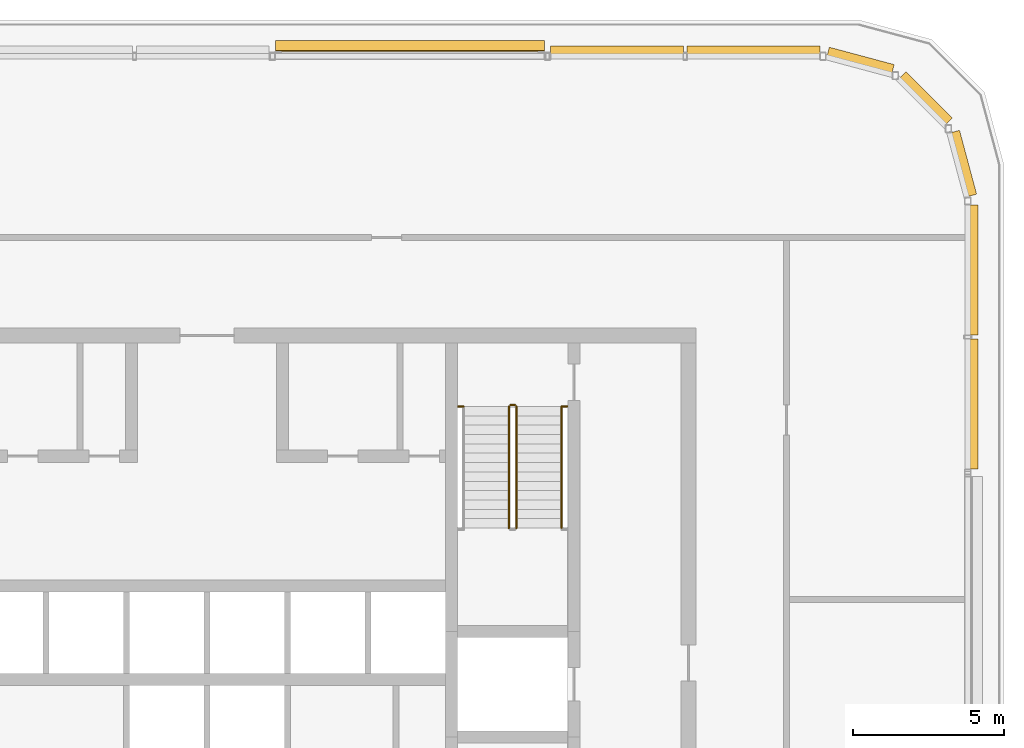
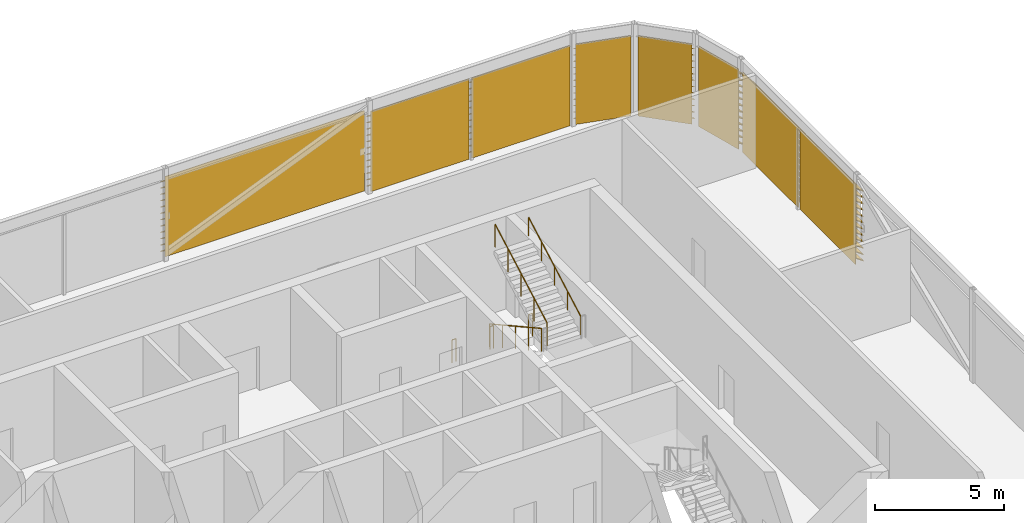
# One storey, part 29 of 29: 8 shading devices, 6 railings.
"""IFC4 building model written with IfcOpenShell, lengths in metres."""

from ifc_helpers import new_model, si_unit, direction, frame, origin, origin_2d, place, context, subcontext, project, spatial, polyline, circle, outline, extrude, material, type_object, element, save


model = new_model("IFC4")

# Units and contexts
model_context = context("Model", 3, precision=1e-05, world=origin(), true_north=direction((0.0, 1.0)))
body_context = subcontext(model_context, "Body", "Model", "MODEL_VIEW")
ifc_project = project(units=[si_unit("LENGTHUNIT", "METRE"), si_unit("AREAUNIT", "SQUARE_METRE"), si_unit("VOLUMEUNIT", "CUBIC_METRE"), si_unit("PLANEANGLEUNIT", "RADIAN"), si_unit("MASSUNIT", "GRAM", prefix="KILO")], contexts=[model_context])

# Site, building, storey
site_placement = place(None, origin())
site = spatial("IfcSite", under=ifc_project, at=site_placement, CompositionType="ELEMENT")
building_placement = place(site_placement, origin())
building = spatial("IfcBuilding", under=site, at=building_placement, Name="Madar Terraces", CompositionType="ELEMENT")
storey_placement = place(building_placement, frame((0.0, 0.0, 296.300048828125)))
storey = spatial("IfcBuildingStorey", under=building, at=storey_placement, Name="L77", CompositionType="ELEMENT", Elevation=296.300048828125)

# Shading devices
ifc_material_1 = material(Name="Aluminium, black anodised", Category="aluminium")
shading_device_type = type_object("IfcShadingDeviceType", Name="Crown louvre bank", PredefinedType="USERDEFINED", material=ifc_material_1)
shading_device_1_placement = place(storey_placement, frame((56.39990234375, 33.126953125, 0.0), z_axis=(0.0, 1.0, 0.0), x_axis=(-1.0, 0.0, 0.0)))
element("IfcShadingDevice", 1, at=shading_device_1_placement, inside=storey, type_object=shading_device_type, Name="LOUVRE bank L77 12.1", ObjectType="LOUVRE", PredefinedType="USERDEFINED", context=body_context, shape_type="SweptSolid", body=[
    extrude(outline(polyline([(0.014892578125, 0.0), (-0.014892578125, 0.0), (-0.014892578125, 0.24951171875), (-0.3427734375, 0.02001953125), (-0.3427734375, 0.06884765625), (-0.014892578125, 0.29833984375), (-0.014892578125, 0.54931640625), (-0.3427734375, 0.320068359375), (-0.3427734375, 0.368896484375), (-0.014892578125, 0.59814453125), (-0.014892578125, 0.849365234375), (-0.3427734375, 0.6201171875), (-0.3427734375, 0.6689453125), (-0.014892578125, 0.898193359375), (-0.014892578125, 1.1494140625), (-0.3427734375, 0.919921875), (-0.3427734375, 0.96875), (-0.014892578125, 1.1982421875), (-0.014892578125, 1.449462890625), (-0.3427734375, 1.219970703125), (-0.3427734375, 1.268798828125), (-0.014892578125, 1.498291015625), (-0.014892578125, 1.74951171875), (-0.3427734375, 1.52001953125), (-0.3427734375, 1.56884765625), (-0.014892578125, 1.79833984375), (-0.014892578125, 2.04931640625), (-0.3427734375, 1.820068359375), (-0.3427734375, 1.868896484375), (-0.014892578125, 2.09814453125), (-0.014892578125, 2.349365234375), (-0.3427734375, 2.1201171875), (-0.3427734375, 2.1689453125), (-0.014892578125, 2.398193359375), (-0.014892578125, 2.6494140625), (-0.3427734375, 2.419921875), (-0.3427734375, 2.46875), (-0.014892578125, 2.6982421875), (-0.014892578125, 2.949462890625), (-0.3427734375, 2.719970703125), (-0.3427734375, 2.768798828125), (-0.014892578125, 2.998291015625), (-0.014892578125, 3.24951171875), (-0.3427734375, 3.02001953125), (-0.3427734375, 3.06884765625), (-0.014892578125, 3.29833984375), (-0.014892578125, 3.54931640625), (-0.3427734375, 3.320068359375), (-0.3427734375, 3.368896484375), (-0.014892578125, 3.59814453125), (-0.014892578125, 3.798095703125), (0.014892578125, 3.798095703125), (0.014892578125, 0.0)])), origin(), (0.0, 0.0, 1.0), 4.3095703125),
])
shading_device_2_placement = place(storey_placement, frame((56.39990234375, 37.5634765625, 0.0), z_axis=(0.0, 1.0, 0.0), x_axis=(-1.0, 0.0, 0.0)))
element("IfcShadingDevice", 2, at=shading_device_2_placement, inside=storey, type_object=shading_device_type, Name="LOUVRE bank L77 12.2", ObjectType="LOUVRE", PredefinedType="USERDEFINED", context=body_context, shape_type="SweptSolid", body=[
    extrude(outline(polyline([(0.014892578125, 0.0), (-0.014892578125, 0.0), (-0.014892578125, 0.24951171875), (-0.3427734375, 0.02001953125), (-0.3427734375, 0.06884765625), (-0.014892578125, 0.29833984375), (-0.014892578125, 0.54931640625), (-0.3427734375, 0.320068359375), (-0.3427734375, 0.368896484375), (-0.014892578125, 0.59814453125), (-0.014892578125, 0.849365234375), (-0.3427734375, 0.6201171875), (-0.3427734375, 0.6689453125), (-0.014892578125, 0.898193359375), (-0.014892578125, 1.1494140625), (-0.3427734375, 0.919921875), (-0.3427734375, 0.96875), (-0.014892578125, 1.1982421875), (-0.014892578125, 1.449462890625), (-0.3427734375, 1.219970703125), (-0.3427734375, 1.268798828125), (-0.014892578125, 1.498291015625), (-0.014892578125, 1.74951171875), (-0.3427734375, 1.52001953125), (-0.3427734375, 1.56884765625), (-0.014892578125, 1.79833984375), (-0.014892578125, 2.04931640625), (-0.3427734375, 1.820068359375), (-0.3427734375, 1.868896484375), (-0.014892578125, 2.09814453125), (-0.014892578125, 2.349365234375), (-0.3427734375, 2.1201171875), (-0.3427734375, 2.1689453125), (-0.014892578125, 2.398193359375), (-0.014892578125, 2.6494140625), (-0.3427734375, 2.419921875), (-0.3427734375, 2.46875), (-0.014892578125, 2.6982421875), (-0.014892578125, 2.949462890625), (-0.3427734375, 2.719970703125), (-0.3427734375, 2.768798828125), (-0.014892578125, 2.998291015625), (-0.014892578125, 3.24951171875), (-0.3427734375, 3.02001953125), (-0.3427734375, 3.06884765625), (-0.014892578125, 3.29833984375), (-0.014892578125, 3.54931640625), (-0.3427734375, 3.320068359375), (-0.3427734375, 3.368896484375), (-0.014892578125, 3.59814453125), (-0.014892578125, 3.798095703125), (0.014892578125, 3.798095703125), (0.014892578125, 0.0)])), origin(), (0.0, 0.0, 1.0), 4.3095703125),
])
shading_device_3_placement = place(storey_placement, frame((56.361328125, 42.143798828125, 0.0), z_axis=(-0.258788169352, 0.965934098893, 0.0), x_axis=(-0.965934098893, -0.258788169352, 0.0)))
element("IfcShadingDevice", 3, at=shading_device_3_placement, inside=storey, type_object=shading_device_type, Name="LOUVRE bank L77 13.1", ObjectType="LOUVRE", PredefinedType="USERDEFINED", context=body_context, shape_type="SweptSolid", body=[
    extrude(outline(polyline([(0.014892578125, 0.0), (-0.014892578125, 0.0), (-0.014892578125, 0.24951171875), (-0.3427734375, 0.02001953125), (-0.3427734375, 0.06884765625), (-0.014892578125, 0.29833984375), (-0.014892578125, 0.54931640625), (-0.3427734375, 0.320068359375), (-0.3427734375, 0.368896484375), (-0.014892578125, 0.59814453125), (-0.014892578125, 0.849365234375), (-0.3427734375, 0.6201171875), (-0.3427734375, 0.6689453125), (-0.014892578125, 0.898193359375), (-0.014892578125, 1.1494140625), (-0.3427734375, 0.919921875), (-0.3427734375, 0.96875), (-0.014892578125, 1.1982421875), (-0.014892578125, 1.449462890625), (-0.3427734375, 1.219970703125), (-0.3427734375, 1.268798828125), (-0.014892578125, 1.498291015625), (-0.014892578125, 1.74951171875), (-0.3427734375, 1.52001953125), (-0.3427734375, 1.56884765625), (-0.014892578125, 1.79833984375), (-0.014892578125, 2.04931640625), (-0.3427734375, 1.820068359375), (-0.3427734375, 1.868896484375), (-0.014892578125, 2.09814453125), (-0.014892578125, 2.349365234375), (-0.3427734375, 2.1201171875), (-0.3427734375, 2.1689453125), (-0.014892578125, 2.398193359375), (-0.014892578125, 2.6494140625), (-0.3427734375, 2.419921875), (-0.3427734375, 2.46875), (-0.014892578125, 2.6982421875), (-0.014892578125, 2.949462890625), (-0.3427734375, 2.719970703125), (-0.3427734375, 2.768798828125), (-0.014892578125, 2.998291015625), (-0.014892578125, 3.24951171875), (-0.3427734375, 3.02001953125), (-0.3427734375, 3.06884765625), (-0.014892578125, 3.29833984375), (-0.014892578125, 3.54931640625), (-0.3427734375, 3.320068359375), (-0.3427734375, 3.368896484375), (-0.014892578125, 3.59814453125), (-0.014892578125, 3.798095703125), (0.014892578125, 3.798095703125), (0.014892578125, 0.0)])), origin(), (0.0, 0.0, 1.0), 2.186767578125),
])
shading_device_4_placement = place(storey_placement, frame((55.642578125, 44.514404296875, 0.0), z_axis=(-0.707106781187, 0.707106781187, 0.0), x_axis=(-0.707106781187, -0.707106781187, 0.0)))
element("IfcShadingDevice", 4, at=shading_device_4_placement, inside=storey, type_object=shading_device_type, Name="LOUVRE bank L77 14.1", ObjectType="LOUVRE", PredefinedType="USERDEFINED", context=body_context, shape_type="SweptSolid", body=[
    extrude(outline(polyline([(0.014892578125, 0.0), (-0.014892578125, 0.0), (-0.014892578125, 0.24951171875), (-0.3427734375, 0.02001953125), (-0.3427734375, 0.06884765625), (-0.014892578125, 0.29833984375), (-0.014892578125, 0.54931640625), (-0.3427734375, 0.320068359375), (-0.3427734375, 0.368896484375), (-0.014892578125, 0.59814453125), (-0.014892578125, 0.849365234375), (-0.3427734375, 0.6201171875), (-0.3427734375, 0.6689453125), (-0.014892578125, 0.898193359375), (-0.014892578125, 1.1494140625), (-0.3427734375, 0.919921875), (-0.3427734375, 0.96875), (-0.014892578125, 1.1982421875), (-0.014892578125, 1.449462890625), (-0.3427734375, 1.219970703125), (-0.3427734375, 1.268798828125), (-0.014892578125, 1.498291015625), (-0.014892578125, 1.74951171875), (-0.3427734375, 1.52001953125), (-0.3427734375, 1.56884765625), (-0.014892578125, 1.79833984375), (-0.014892578125, 2.04931640625), (-0.3427734375, 1.820068359375), (-0.3427734375, 1.868896484375), (-0.014892578125, 2.09814453125), (-0.014892578125, 2.349365234375), (-0.3427734375, 2.1201171875), (-0.3427734375, 2.1689453125), (-0.014892578125, 2.398193359375), (-0.014892578125, 2.6494140625), (-0.3427734375, 2.419921875), (-0.3427734375, 2.46875), (-0.014892578125, 2.6982421875), (-0.014892578125, 2.949462890625), (-0.3427734375, 2.719970703125), (-0.3427734375, 2.768798828125), (-0.014892578125, 2.998291015625), (-0.014892578125, 3.24951171875), (-0.3427734375, 3.02001953125), (-0.3427734375, 3.06884765625), (-0.014892578125, 3.29833984375), (-0.014892578125, 3.54931640625), (-0.3427734375, 3.320068359375), (-0.3427734375, 3.368896484375), (-0.014892578125, 3.59814453125), (-0.014892578125, 3.798095703125), (0.014892578125, 3.798095703125), (0.014892578125, 0.0)])), origin(), (0.0, 0.0, 1.0), 2.161376953125),
])
shading_device_5_placement = place(storey_placement, frame((53.87353515625, 46.19091796875, 0.0), z_axis=(-0.965935304808, 0.258783668197, 0.0), x_axis=(-0.258783668197, -0.965935304808, 0.0)))
element("IfcShadingDevice", 5, at=shading_device_5_placement, inside=storey, type_object=shading_device_type, Name="LOUVRE bank L77 15.1", ObjectType="LOUVRE", PredefinedType="USERDEFINED", context=body_context, shape_type="SweptSolid", body=[
    extrude(outline(polyline([(0.014892578125, 0.0), (-0.014892578125, 0.0), (-0.014892578125, 0.24951171875), (-0.3427734375, 0.02001953125), (-0.3427734375, 0.06884765625), (-0.014892578125, 0.29833984375), (-0.014892578125, 0.54931640625), (-0.3427734375, 0.320068359375), (-0.3427734375, 0.368896484375), (-0.014892578125, 0.59814453125), (-0.014892578125, 0.849365234375), (-0.3427734375, 0.6201171875), (-0.3427734375, 0.6689453125), (-0.014892578125, 0.898193359375), (-0.014892578125, 1.1494140625), (-0.3427734375, 0.919921875), (-0.3427734375, 0.96875), (-0.014892578125, 1.1982421875), (-0.014892578125, 1.449462890625), (-0.3427734375, 1.219970703125), (-0.3427734375, 1.268798828125), (-0.014892578125, 1.498291015625), (-0.014892578125, 1.74951171875), (-0.3427734375, 1.52001953125), (-0.3427734375, 1.56884765625), (-0.014892578125, 1.79833984375), (-0.014892578125, 2.04931640625), (-0.3427734375, 1.820068359375), (-0.3427734375, 1.868896484375), (-0.014892578125, 2.09814453125), (-0.014892578125, 2.349365234375), (-0.3427734375, 2.1201171875), (-0.3427734375, 2.1689453125), (-0.014892578125, 2.398193359375), (-0.014892578125, 2.6494140625), (-0.3427734375, 2.419921875), (-0.3427734375, 2.46875), (-0.014892578125, 2.6982421875), (-0.014892578125, 2.949462890625), (-0.3427734375, 2.719970703125), (-0.3427734375, 2.768798828125), (-0.014892578125, 2.998291015625), (-0.014892578125, 3.24951171875), (-0.3427734375, 3.02001953125), (-0.3427734375, 3.06884765625), (-0.014892578125, 3.29833984375), (-0.014892578125, 3.54931640625), (-0.3427734375, 3.320068359375), (-0.3427734375, 3.368896484375), (-0.014892578125, 3.59814453125), (-0.014892578125, 3.798095703125), (0.014892578125, 3.798095703125), (0.014892578125, 0.0)])), origin(), (0.0, 0.0, 1.0), 2.22265625),
])
shading_device_6_placement = place(storey_placement, frame((51.498291015625, 46.800048828125, 0.0), z_axis=(-1.0, 0.0, 0.0), x_axis=(0.0, -1.0, 0.0)))
element("IfcShadingDevice", 6, at=shading_device_6_placement, inside=storey, type_object=shading_device_type, Name="LOUVRE bank L77 16.1", ObjectType="LOUVRE", PredefinedType="USERDEFINED", context=body_context, shape_type="SweptSolid", body=[
    extrude(outline(polyline([(0.014892578125, 0.0), (-0.014892578125, 0.0), (-0.014892578125, 0.24951171875), (-0.3427734375, 0.02001953125), (-0.3427734375, 0.06884765625), (-0.014892578125, 0.29833984375), (-0.014892578125, 0.54931640625), (-0.3427734375, 0.320068359375), (-0.3427734375, 0.368896484375), (-0.014892578125, 0.59814453125), (-0.014892578125, 0.849365234375), (-0.3427734375, 0.6201171875), (-0.3427734375, 0.6689453125), (-0.014892578125, 0.898193359375), (-0.014892578125, 1.1494140625), (-0.3427734375, 0.919921875), (-0.3427734375, 0.96875), (-0.014892578125, 1.1982421875), (-0.014892578125, 1.449462890625), (-0.3427734375, 1.219970703125), (-0.3427734375, 1.268798828125), (-0.014892578125, 1.498291015625), (-0.014892578125, 1.74951171875), (-0.3427734375, 1.52001953125), (-0.3427734375, 1.56884765625), (-0.014892578125, 1.79833984375), (-0.014892578125, 2.04931640625), (-0.3427734375, 1.820068359375), (-0.3427734375, 1.868896484375), (-0.014892578125, 2.09814453125), (-0.014892578125, 2.349365234375), (-0.3427734375, 2.1201171875), (-0.3427734375, 2.1689453125), (-0.014892578125, 2.398193359375), (-0.014892578125, 2.6494140625), (-0.3427734375, 2.419921875), (-0.3427734375, 2.46875), (-0.014892578125, 2.6982421875), (-0.014892578125, 2.949462890625), (-0.3427734375, 2.719970703125), (-0.3427734375, 2.768798828125), (-0.014892578125, 2.998291015625), (-0.014892578125, 3.24951171875), (-0.3427734375, 3.02001953125), (-0.3427734375, 3.06884765625), (-0.014892578125, 3.29833984375), (-0.014892578125, 3.54931640625), (-0.3427734375, 3.320068359375), (-0.3427734375, 3.368896484375), (-0.014892578125, 3.59814453125), (-0.014892578125, 3.798095703125), (0.014892578125, 3.798095703125), (0.014892578125, 0.0)])), origin(), (0.0, 0.0, 1.0), 4.394775390625),
])
shading_device_7_placement = place(storey_placement, frame((46.9765625, 46.800048828125, 0.0), z_axis=(-1.0, 0.0, 0.0), x_axis=(0.0, -1.0, 0.0)))
element("IfcShadingDevice", 7, at=shading_device_7_placement, inside=storey, type_object=shading_device_type, Name="LOUVRE bank L77 16.2", ObjectType="LOUVRE", PredefinedType="USERDEFINED", context=body_context, shape_type="SweptSolid", body=[
    extrude(outline(polyline([(0.014892578125, 0.0), (-0.014892578125, 0.0), (-0.014892578125, 0.24951171875), (-0.3427734375, 0.02001953125), (-0.3427734375, 0.06884765625), (-0.014892578125, 0.29833984375), (-0.014892578125, 0.54931640625), (-0.3427734375, 0.320068359375), (-0.3427734375, 0.368896484375), (-0.014892578125, 0.59814453125), (-0.014892578125, 0.849365234375), (-0.3427734375, 0.6201171875), (-0.3427734375, 0.6689453125), (-0.014892578125, 0.898193359375), (-0.014892578125, 1.1494140625), (-0.3427734375, 0.919921875), (-0.3427734375, 0.96875), (-0.014892578125, 1.1982421875), (-0.014892578125, 1.449462890625), (-0.3427734375, 1.219970703125), (-0.3427734375, 1.268798828125), (-0.014892578125, 1.498291015625), (-0.014892578125, 1.74951171875), (-0.3427734375, 1.52001953125), (-0.3427734375, 1.56884765625), (-0.014892578125, 1.79833984375), (-0.014892578125, 2.04931640625), (-0.3427734375, 1.820068359375), (-0.3427734375, 1.868896484375), (-0.014892578125, 2.09814453125), (-0.014892578125, 2.349365234375), (-0.3427734375, 2.1201171875), (-0.3427734375, 2.1689453125), (-0.014892578125, 2.398193359375), (-0.014892578125, 2.6494140625), (-0.3427734375, 2.419921875), (-0.3427734375, 2.46875), (-0.014892578125, 2.6982421875), (-0.014892578125, 2.949462890625), (-0.3427734375, 2.719970703125), (-0.3427734375, 2.768798828125), (-0.014892578125, 2.998291015625), (-0.014892578125, 3.24951171875), (-0.3427734375, 3.02001953125), (-0.3427734375, 3.06884765625), (-0.014892578125, 3.29833984375), (-0.014892578125, 3.54931640625), (-0.3427734375, 3.320068359375), (-0.3427734375, 3.368896484375), (-0.014892578125, 3.59814453125), (-0.014892578125, 3.798095703125), (0.014892578125, 3.798095703125), (0.014892578125, 0.0)])), origin(), (0.0, 0.0, 1.0), 4.39501953125),
])
shading_device_8_placement = place(storey_placement, frame((42.37841796875, 46.800048828125, 0.0), z_axis=(-1.0, 0.0, 0.0), x_axis=(0.0, -1.0, 0.0)))
element("IfcShadingDevice", 8, at=shading_device_8_placement, inside=storey, type_object=shading_device_type, Name="LOUVRE bank L77 17.1", ObjectType="LOUVRE", PredefinedType="USERDEFINED", context=body_context, shape_type="SweptSolid", body=[
    extrude(outline(polyline([(-0.156982421875, 0.0), (-0.18701171875, 0.0), (-0.18701171875, 0.24951171875), (-0.5146484375, 0.02001953125), (-0.5146484375, 0.06884765625), (-0.18701171875, 0.29833984375), (-0.18701171875, 0.54931640625), (-0.5146484375, 0.320068359375), (-0.5146484375, 0.368896484375), (-0.18701171875, 0.59814453125), (-0.18701171875, 0.849365234375), (-0.5146484375, 0.6201171875), (-0.5146484375, 0.6689453125), (-0.18701171875, 0.898193359375), (-0.18701171875, 1.1494140625), (-0.5146484375, 0.919921875), (-0.5146484375, 0.96875), (-0.18701171875, 1.1982421875), (-0.18701171875, 1.449462890625), (-0.5146484375, 1.219970703125), (-0.5146484375, 1.268798828125), (-0.18701171875, 1.498291015625), (-0.18701171875, 1.74951171875), (-0.5146484375, 1.52001953125), (-0.5146484375, 1.56884765625), (-0.18701171875, 1.79833984375), (-0.18701171875, 2.04931640625), (-0.5146484375, 1.820068359375), (-0.5146484375, 1.868896484375), (-0.18701171875, 2.09814453125), (-0.18701171875, 2.349365234375), (-0.5146484375, 2.1201171875), (-0.5146484375, 2.1689453125), (-0.18701171875, 2.398193359375), (-0.18701171875, 2.6494140625), (-0.5146484375, 2.419921875), (-0.5146484375, 2.46875), (-0.18701171875, 2.6982421875), (-0.18701171875, 2.949462890625), (-0.5146484375, 2.719970703125), (-0.5146484375, 2.768798828125), (-0.18701171875, 2.998291015625), (-0.18701171875, 3.24951171875), (-0.5146484375, 3.02001953125), (-0.5146484375, 3.06884765625), (-0.18701171875, 3.29833984375), (-0.18701171875, 3.54931640625), (-0.5146484375, 3.320068359375), (-0.5146484375, 3.368896484375), (-0.18701171875, 3.59814453125), (-0.18701171875, 3.798095703125), (-0.156982421875, 3.798095703125), (-0.156982421875, 0.0)])), origin(), (0.0, 0.0, 1.0), 8.916748046875),
])

# Railings
ifc_material_2 = material(Name="Stainless steel railing", Category="steel")
railing_type_1 = type_object("IfcRailingType", Name="Stair guard 1100", PredefinedType="GUARDRAIL", material=ifc_material_2)
railing_1_placement = place(storey_placement, frame((41.199951171875, 35.199951171875, 0.17138671875)))
element("IfcRailing", 9, at=railing_1_placement, inside=storey, type_object=railing_type_1, Name="L77 ST2 stair guard 1", PredefinedType="GUARDRAIL", context=body_context, shape_type="SweptSolid", body=[
    extrude(circle(Radius=0.02392578125, at=origin_2d()), frame((0.0, 0.0, 1.076171875), z_axis=(0.0, -0.875113341371, 0.483918009331), x_axis=(1.0, 0.0, 0.0)), (0.0, 0.0, 1.0), 4.605224609375),
    extrude(circle(Radius=0.02099609375, at=origin_2d()), origin(), (0.0, 0.0, 1.0), 1.052001953125),
    extrude(circle(Radius=0.02099609375, at=origin_2d()), frame((0.0, -1.007568359375, 0.55712890625)), (0.0, 0.0, 1.0), 1.052001953125),
    extrude(circle(Radius=0.02099609375, at=origin_2d()), frame((0.0, -2.01513671875, 1.1142578125)), (0.0, 0.0, 1.0), 1.052001953125),
    extrude(circle(Radius=0.02099609375, at=origin_2d()), frame((0.0, -3.0224609375, 1.67138671875)), (0.0, 0.0, 1.0), 1.052001953125),
    extrude(circle(Radius=0.02099609375, at=origin_2d()), frame((0.0, -4.030029296875, 2.228515625)), (0.0, 0.0, 1.0), 1.052001953125),
])
railing_2_placement = place(storey_placement, frame((41.449951171875, 31.169921875, 2.5712890625)))
element("IfcRailing", 10, at=railing_2_placement, inside=storey, type_object=railing_type_1, Name="L77 ST2 stair guard 3", PredefinedType="GUARDRAIL", context=body_context, shape_type="SweptSolid", body=[
    extrude(circle(Radius=0.02392578125, at=origin_2d()), frame((0.0, 0.0, 1.076171875), z_axis=(0.0, 0.875090890183, 0.48395860765), x_axis=(-1.0, 0.0, 0.0)), (0.0, 0.0, 1.0), 4.605224609375),
    extrude(circle(Radius=0.02099609375, at=origin_2d()), origin(), (0.0, 0.0, 1.0), 1.052001953125),
    extrude(circle(Radius=0.02099609375, at=origin_2d()), frame((0.0, 1.007568359375, 0.55712890625)), (0.0, 0.0, 1.0), 1.052001953125),
    extrude(circle(Radius=0.02099609375, at=origin_2d()), frame((0.0, 2.01513671875, 1.1142578125)), (0.0, 0.0, 1.0), 1.052001953125),
    extrude(circle(Radius=0.02099609375, at=origin_2d()), frame((0.0, 3.0224609375, 1.671630859375)), (0.0, 0.0, 1.0), 1.052001953125),
    extrude(circle(Radius=0.02099609375, at=origin_2d()), frame((0.0, 4.030029296875, 2.228759765625)), (0.0, 0.0, 1.0), 1.052001953125),
])
railing_3_placement = place(storey_placement, frame((41.25, 35.25, 0.0)))
element("IfcRailing", 11, at=railing_3_placement, inside=storey, type_object=railing_type_1, Name="L77 ST2 stair guard 4", PredefinedType="GUARDRAIL", context=body_context, shape_type="SweptSolid", body=[
    extrude(circle(Radius=0.02392578125, at=origin_2d()), frame((0.0, 0.0, 1.076171875), z_axis=(1.0, 0.0, 0.0), x_axis=(0.0, 1.0, 0.0)), (0.0, 0.0, 1.0), 0.14990234375),
    extrude(circle(Radius=0.02099609375, at=origin_2d()), origin(), (0.0, 0.0, 1.0), 1.052001953125),
    extrude(circle(Radius=0.02099609375, at=origin_2d()), frame((0.14990234375, 0.0, 0.0)), (0.0, 0.0, 1.0), 1.052001953125),
])
for number, where, name in (
    (12, (39.52001953125, 35.199951171875, 0.0), "L77 stair guard floor 1"),
    (13, (42.949951171875, 35.199951171875, 0.0), "L77 stair guard floor 2"),
):
    element("IfcRailing", number, at=place(storey_placement, frame(where)), inside=storey, type_object=railing_type_1, Name=name, PredefinedType="GUARDRAIL", context=body_context, shape_type="SweptSolid", body=[
        extrude(circle(Radius=0.02392578125, at=origin_2d()), frame((0.0, 0.0, 1.076171875), z_axis=(1.0, 0.0, 0.0), x_axis=(0.0, 1.0, 0.0)), (0.0, 0.0, 1.0), 0.179931640625),
        extrude(circle(Radius=0.02099609375, at=origin_2d()), origin(), (0.0, 0.0, 1.0), 1.052001953125),
        extrude(circle(Radius=0.02099609375, at=origin_2d()), frame((0.179931640625, 0.0, 0.0)), (0.0, 0.0, 1.0), 1.052001953125),
    ])
ifc_material_3 = material(Name="Stainless steel railing", Category="steel")
railing_type_2 = type_object("IfcRailingType", Name="Stair handrail 900", PredefinedType="HANDRAIL", material=ifc_material_3)
railing_4_placement = place(storey_placement, frame((42.949951171875, 31.169921875, 2.5712890625)))
element("IfcRailing", 14, at=railing_4_placement, inside=storey, type_object=railing_type_2, Name="L77 ST2 stair handrail 2", PredefinedType="HANDRAIL", context=body_context, shape_type="SweptSolid", body=[
    extrude(circle(Radius=0.02392578125, at=origin_2d()), frame((0.0, 0.0, 0.8759765625), z_axis=(0.0, 0.875090890183, 0.48395860765), x_axis=(-1.0, 0.0, 0.0)), (0.0, 0.0, 1.0), 4.605224609375),
    extrude(circle(Radius=0.02099609375, at=origin_2d()), origin(), (0.0, 0.0, 1.0), 0.851806640625),
    extrude(circle(Radius=0.02099609375, at=origin_2d()), frame((0.0, 1.007568359375, 0.55712890625)), (0.0, 0.0, 1.0), 0.851806640625),
    extrude(circle(Radius=0.02099609375, at=origin_2d()), frame((0.0, 2.01513671875, 1.1142578125)), (0.0, 0.0, 1.0), 0.851806640625),
    extrude(circle(Radius=0.02099609375, at=origin_2d()), frame((0.0, 3.0224609375, 1.671630859375)), (0.0, 0.0, 1.0), 0.851806640625),
    extrude(circle(Radius=0.02099609375, at=origin_2d()), frame((0.0, 4.030029296875, 2.228759765625)), (0.0, 0.0, 1.0), 0.851806640625),
])

save(model, "model.ifc")
